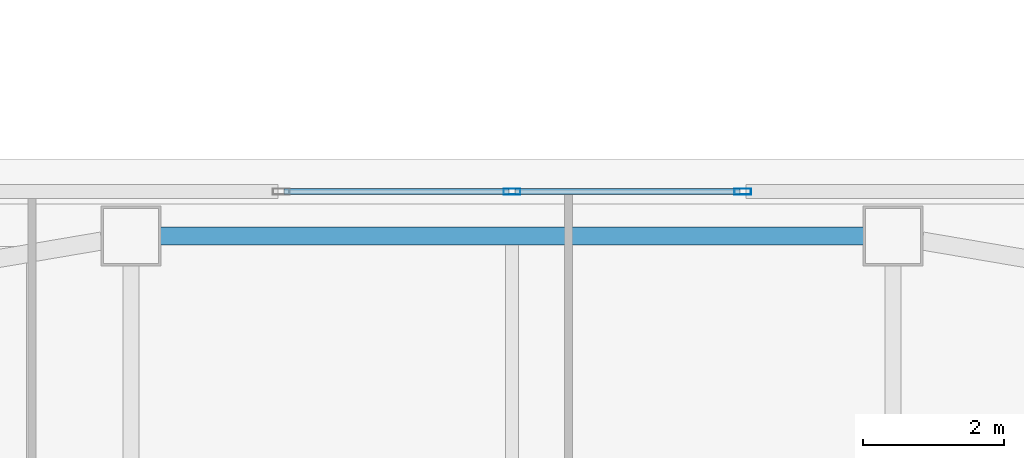
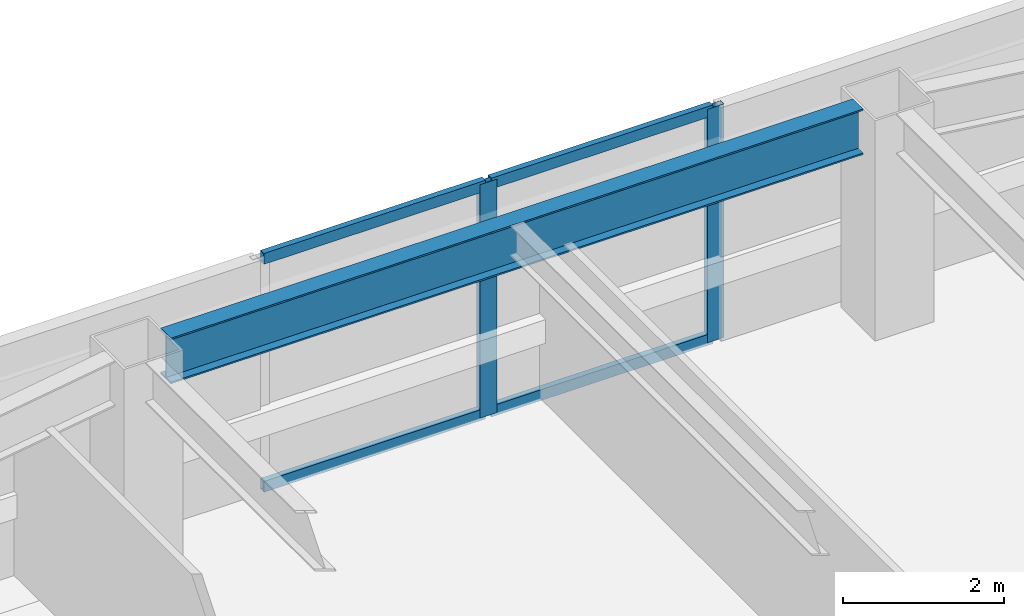
# One storey, part 13 of 45: 6 members, 1 beam, 1 element without a shape of its own.
"""IFC4 building model written with IfcOpenShell, lengths in metres."""

from ifc_helpers import new_model, si_unit, direction, frame, origin, origin_2d, place, context, subcontext, project, spatial, hollow_rectangle, i_section, extrude, material, material_profile, profile_set, type_object, element, aggregate, save


model = new_model("IFC4")

# Units and contexts
model_context = context("Model", 3, precision=1e-05, world=origin(), true_north=direction((0.0, 1.0)))
body_context = subcontext(model_context, "Body", "Model", "MODEL_VIEW")
ifc_project = project(units=[si_unit("LENGTHUNIT", "METRE"), si_unit("AREAUNIT", "SQUARE_METRE"), si_unit("VOLUMEUNIT", "CUBIC_METRE"), si_unit("PLANEANGLEUNIT", "RADIAN"), si_unit("MASSUNIT", "GRAM", prefix="KILO")], contexts=[model_context])

# Site, building, storey
site_placement = place(None, origin())
site = spatial("IfcSite", under=ifc_project, at=site_placement, CompositionType="ELEMENT")
building_placement = place(site_placement, origin())
building = spatial("IfcBuilding", under=site, at=building_placement, Name="Tashvorn Skyway Center", CompositionType="ELEMENT")
storey_placement = place(building_placement, frame((0.0, 0.0, 35.25)))
storey = spatial("IfcBuildingStorey", under=building, at=storey_placement, Name="L08", CompositionType="ELEMENT", Elevation=35.25)

# Beam
ifc_material_1 = material(Name="Steel ASTM A992 Grade 50", Category="steel")
ifc_material_profile_1 = material_profile(ifc_material_1, i_section(OverallWidth=0.256103515625, OverallDepth=0.693115234375, WebThickness=0.014404296875, FlangeThickness=0.023681640625, at=origin_2d()), Name="W27X114")
ifc_profile_set_1 = profile_set([ifc_material_profile_1], Name="Steel ASTM A992 Grade 50")
beam_type = type_object("IfcBeamType", Name="BM-SPANDREL-W27X114", PredefinedType="SPANDREL", material=ifc_profile_set_1)
beam_placement = place(storey_placement, frame((46.97998046875, 54.25, 3.00341796875), z_axis=(-1.0, 0.0, 0.0), x_axis=(0.0, -1.0, 0.0)))
element("IfcBeam", 1, at=beam_placement, inside=storey, type_object=beam_type, Name="Tower 1 L08 Spandrel Beam 08", PredefinedType="SPANDREL", context=body_context, shape_type="SweptSolid", body=[
    extrude(i_section(OverallWidth=0.256103515625, OverallDepth=0.693115234375, WebThickness=0.014404296875, FlangeThickness=0.023681640625, at=origin_2d()), origin(), (0.0, 0.0, 1.0), 9.9599609375),
])

# Curtain wall, members
ifc_material_2 = material(Name="Thermally broken bronze-anodized aluminium 6063-T6", Category="aluminium")
curtain_wall_type = type_object("IfcCurtainWallType", Name="CW-CW-Z1", PredefinedType="NOTDEFINED", material=ifc_material_2)
curtain_wall_placement = place(storey_placement, origin())
curtain_wall = element("IfcCurtainWall", 2, at=curtain_wall_placement, inside=storey, type_object=curtain_wall_type, Name="Tower 1 L08 North Unitised Curtain Wall Glazing Group 2", PredefinedType="NOTDEFINED")
ifc_material_profile_2 = material_profile(ifc_material_2, hollow_rectangle(XDim=0.0849609375, YDim=0.239990234375, WallThickness=0.0048828125, at=origin_2d()), Name="ALU-MULL-85x240")
ifc_profile_set_2 = profile_set([ifc_material_profile_2], Name="Thermally broken bronze-anodized aluminium 6063-T6")
member_type_1 = type_object("IfcMemberType", Name="CWM-CW-Z1", PredefinedType="MULLION", material=ifc_profile_set_2)
member_1_placement = place(storey_placement, frame((42.0, 54.8798828125, 0.0), z_axis=(0.0, 0.0, 1.0), x_axis=(0.0, 1.0, 0.0)))
member_1 = element("IfcMember", 3, at=member_1_placement, type_object=member_type_1, Name="CW-Z1 mullion 2", PredefinedType="MULLION", context=body_context, shape_type="SweptSolid", body=[
    extrude(hollow_rectangle(XDim=0.0849609375, YDim=0.239990234375, WallThickness=0.0048828125, at=origin_2d()), origin(), (0.0, 0.0, 1.0), 3.550048828125),
])
member_2_placement = place(storey_placement, frame((45.270751953125, 54.8798828125, 0.0), z_axis=(0.0, 0.0, 1.0), x_axis=(0.0, 1.0, 0.0)))
member_2 = element("IfcMember", 4, at=member_2_placement, type_object=member_type_1, Name="CW-Z1 mullion 3", PredefinedType="MULLION", context=body_context, shape_type="SweptSolid", body=[
    extrude(hollow_rectangle(XDim=0.0849609375, YDim=0.239990234375, WallThickness=0.0048828125, at=origin_2d()), origin(), (0.0, 0.0, 1.0), 3.550048828125),
])
ifc_material_profile_3 = material_profile(ifc_material_2, hollow_rectangle(XDim=0.0849609375, YDim=0.1650390625, WallThickness=0.0048828125, at=origin_2d()), Name="ALU-TRAN-85x165")
ifc_profile_set_3 = profile_set([ifc_material_profile_3], Name="Thermally broken bronze-anodized aluminium 6063-T6")
member_type_2 = type_object("IfcMemberType", Name="CWT-CW-Z1", PredefinedType="USERDEFINED", material=ifc_profile_set_3)
member_3_placement = place(storey_placement, frame((38.771728515625, 54.8798828125, 0.04248046875), z_axis=(1.0, 0.0, 0.0), x_axis=(0.0, 1.0, 0.0)))
member_3 = element("IfcMember", 5, at=member_3_placement, type_object=member_type_2, Name="CW-Z1 transom 1.1", ObjectType="TRANSOM", PredefinedType="USERDEFINED", context=body_context, shape_type="SweptSolid", body=[
    extrude(hollow_rectangle(XDim=0.0849609375, YDim=0.1650390625, WallThickness=0.0048828125, at=origin_2d()), origin(), (0.0, 0.0, 1.0), 3.185791015625),
])
member_4_placement = place(storey_placement, frame((38.771728515625, 54.8798828125, 3.507568359375), z_axis=(1.0, 0.0, 0.0), x_axis=(0.0, 1.0, 0.0)))
member_4 = element("IfcMember", 6, at=member_4_placement, type_object=member_type_2, Name="CW-Z1 transom 1.2", ObjectType="TRANSOM", PredefinedType="USERDEFINED", context=body_context, shape_type="SweptSolid", body=[
    extrude(hollow_rectangle(XDim=0.0849609375, YDim=0.1650390625, WallThickness=0.0048828125, at=origin_2d()), origin(), (0.0, 0.0, 1.0), 3.185791015625),
])
member_5_placement = place(storey_placement, frame((42.04248046875, 54.8798828125, 0.04248046875), z_axis=(1.0, 0.0, 0.0), x_axis=(0.0, 1.0, 0.0)))
member_5 = element("IfcMember", 7, at=member_5_placement, type_object=member_type_2, Name="CW-Z1 transom 2.1", ObjectType="TRANSOM", PredefinedType="USERDEFINED", context=body_context, shape_type="SweptSolid", body=[
    extrude(hollow_rectangle(XDim=0.0849609375, YDim=0.1650390625, WallThickness=0.0048828125, at=origin_2d()), origin(), (0.0, 0.0, 1.0), 3.185791015625),
])
member_6_placement = place(storey_placement, frame((42.04248046875, 54.8798828125, 3.507568359375), z_axis=(1.0, 0.0, 0.0), x_axis=(0.0, 1.0, 0.0)))
member_6 = element("IfcMember", 8, at=member_6_placement, type_object=member_type_2, Name="CW-Z1 transom 2.2", ObjectType="TRANSOM", PredefinedType="USERDEFINED", context=body_context, shape_type="SweptSolid", body=[
    extrude(hollow_rectangle(XDim=0.0849609375, YDim=0.1650390625, WallThickness=0.0048828125, at=origin_2d()), origin(), (0.0, 0.0, 1.0), 3.185791015625),
])
aggregate(curtain_wall, [member_1, member_2, member_3, member_4, member_5, member_6])

save(model, "model.ifc")
